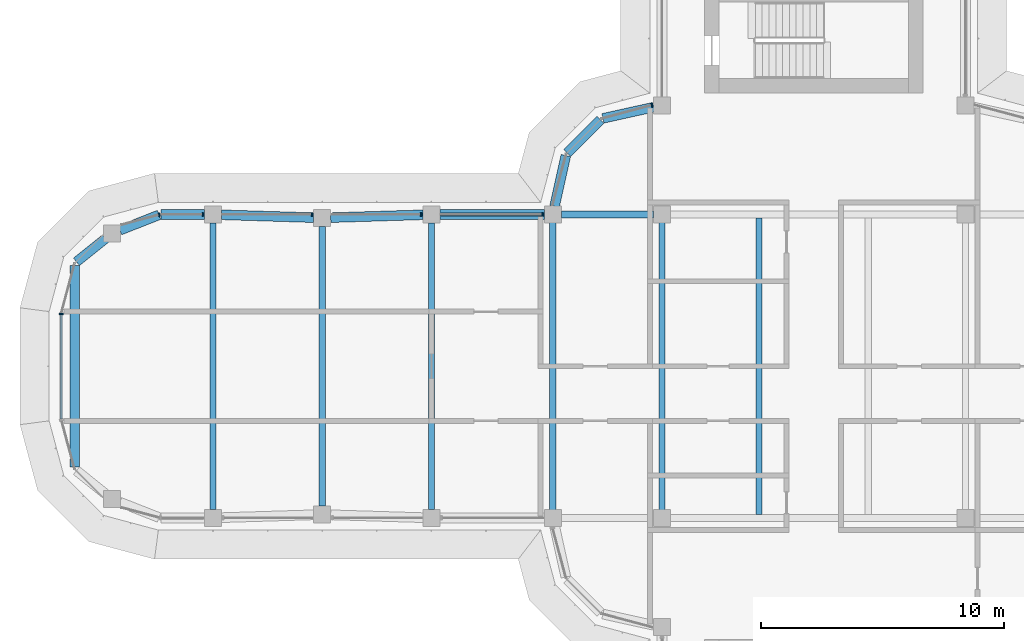
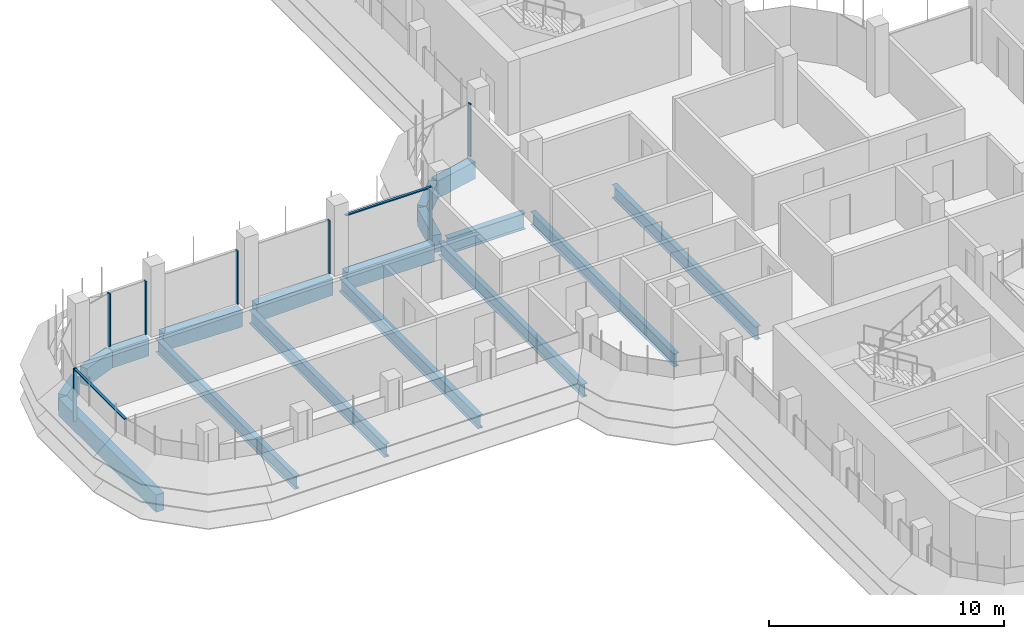
# One storey, part 6 of 19: 17 beams, 9 members, 4 elements without a shape of their own.
"""IFC4 building model written with IfcOpenShell, lengths in metres."""

from ifc_helpers import new_model, si_unit, direction, frame, origin, origin_2d, place, context, subcontext, project, spatial, polyline, rectangle, i_section, outline, extrude, source, transform, mapped, material, material_profile, profile_set, type_object, element, aggregate, save


model = new_model("IFC4")

# Units and contexts
model_context = context("Model", 3, precision=1e-05, world=origin(), true_north=direction((0.0, 1.0)))
body_context = subcontext(model_context, "Body", "Model", "MODEL_VIEW")
ifc_project = project(units=[si_unit("LENGTHUNIT", "METRE"), si_unit("AREAUNIT", "SQUARE_METRE"), si_unit("VOLUMEUNIT", "CUBIC_METRE"), si_unit("PLANEANGLEUNIT", "RADIAN"), si_unit("MASSUNIT", "GRAM", prefix="KILO")], contexts=[model_context])

# Site, building, storey
site_placement = place(None, origin())
site = spatial("IfcSite", under=ifc_project, at=site_placement, CompositionType="ELEMENT")
building_placement = place(site_placement, origin())
building = spatial("IfcBuilding", under=site, at=building_placement, Name="Zarbagh Exchange Tower", CompositionType="ELEMENT")
storey_placement = place(building_placement, frame((0.0, 0.0, 203.0)))
storey = spatial("IfcBuildingStorey", under=building, at=storey_placement, Name="L49", CompositionType="ELEMENT", Elevation=203.0)

# Beams
ifc_material_1 = material(Name="Steel ASTM A992 Gr 50", Category="steel")
ifc_material_profile_1 = material_profile(ifc_material_1, i_section(OverallWidth=0.25390625, OverallDepth=0.67822265625, WebThickness=0.01171875, FlangeThickness=0.016357421875, at=origin_2d()), Name="W27X84")
ifc_profile_set_1 = profile_set([ifc_material_profile_1], Name="Steel ASTM A992 Gr 50")
beam_type_1 = type_object("IfcBeamType", Name="Floor beam W27X84", PredefinedType="BEAM", material=ifc_profile_set_1)
for number, where, z_axis, x_axis, name in (
    (1, (-10.75, -6.10400390625, -0.489013671875), (0.0, 1.0, 0.0), (-1.0, 0.0, 0.0), "Steel floor beam"),
    (2, (-6.25, -6.10400390625, -0.489013671875), (0.0, 1.0, 0.0), (-1.0, 0.0, 0.0), "Steel floor beam"),
    (3, (-2.25, -6.10400390625, -0.489013671875), (0.0, 1.0, 0.0), (-1.0, 0.0, 0.0), "Steel floor beam"),
):
    element("IfcBeam", number, at=place(storey_placement, frame(where, z_axis=z_axis, x_axis=x_axis)), inside=storey, type_object=beam_type_1, Name=name, PredefinedType="BEAM", context=body_context, shape_type="SweptSolid", body=[
        extrude(i_section(OverallWidth=0.25390625, OverallDepth=0.67822265625, WebThickness=0.01171875, FlangeThickness=0.016357421875, at=origin_2d()), origin(), (0.0, 0.0, 1.0), 12.2080078125),
    ])
beam_1_placement = place(storey_placement, frame((-15.75, -5.89990234375, -0.489013671875), z_axis=(0.0, 1.0, 0.0), x_axis=(-1.0, 0.0, 0.0)))
element("IfcBeam", 4, at=beam_1_placement, inside=storey, type_object=beam_type_1, Name="Steel floor beam", PredefinedType="BEAM", context=body_context, shape_type="SweptSolid", body=[
    extrude(i_section(OverallWidth=0.25390625, OverallDepth=0.67822265625, WebThickness=0.01171875, FlangeThickness=0.016357421875, at=origin_2d()), origin(), (0.0, 0.0, 1.0), 11.7998046875),
])
beam_2_placement = place(storey_placement, frame((-20.25, -5.760009765625, -0.489013671875), z_axis=(0.0, 1.0, 0.0), x_axis=(-1.0, 0.0, 0.0)))
element("IfcBeam", 5, at=beam_2_placement, inside=storey, type_object=beam_type_1, Name="Steel floor beam", PredefinedType="BEAM", context=body_context, shape_type="SweptSolid", body=[
    extrude(i_section(OverallWidth=0.25390625, OverallDepth=0.67822265625, WebThickness=0.01171875, FlangeThickness=0.016357421875, at=origin_2d()), origin(), (0.0, 0.0, 1.0), 11.52001953125),
])
beam_3_placement = place(storey_placement, frame((-24.75, -5.89990234375, -0.489013671875), z_axis=(0.0, 1.0, 0.0), x_axis=(-1.0, 0.0, 0.0)))
element("IfcBeam", 6, at=beam_3_placement, inside=storey, type_object=beam_type_1, Name="Steel floor beam", PredefinedType="BEAM", context=body_context, shape_type="SweptSolid", body=[
    extrude(i_section(OverallWidth=0.25390625, OverallDepth=0.67822265625, WebThickness=0.01171875, FlangeThickness=0.016357421875, at=origin_2d()), origin(), (0.0, 0.0, 1.0), 11.7998046875),
])
ifc_material_profile_2 = material_profile(ifc_material_1, i_section(OverallWidth=0.2919921875, OverallDepth=0.835693359375, WebThickness=0.013916015625, FlangeThickness=0.018798828125, at=origin_2d()), Name="W33X118")
ifc_profile_set_2 = profile_set([ifc_material_profile_2], Name="Steel ASTM A992 Gr 50")
beam_type_2 = type_object("IfcBeamType", Name="Floor girder W33X118", PredefinedType="BEAM", material=ifc_profile_set_2)
beam_4_placement = place(storey_placement, frame((-10.39990234375, 6.25, -0.56787109375), z_axis=(1.0, 0.0, 0.0), x_axis=(0.0, 1.0, 0.0)))
element("IfcBeam", 7, at=beam_4_placement, inside=storey, type_object=beam_type_2, Name="Steel girder", PredefinedType="BEAM", context=body_context, shape_type="SweptSolid", body=[
    extrude(i_section(OverallWidth=0.2919921875, OverallDepth=0.835693359375, WebThickness=0.013916015625, FlangeThickness=0.018798828125, at=origin_2d()), origin(), (0.0, 0.0, 1.0), 3.7998046875),
])
ifc_material_2 = material(Name="Concrete C50/60", Category="concrete")
ifc_material_profile_3 = material_profile(ifc_material_2, rectangle(XDim=0.39990234375, YDim=0.89990234375, at=origin_2d()), Name="RC spandrel beam 400 x 900 C50/60")
ifc_profile_set_3 = profile_set([ifc_material_profile_3], Name="Concrete C50/60")
beam_type_3 = type_object("IfcBeamType", Name="RC spandrel beam 400 x 900 C50/60", PredefinedType="SPANDREL", material=ifc_profile_set_3)
beam_5_placement = place(storey_placement, frame((-30.44873046875, -4.14501953125, -0.60009765625), z_axis=(0.0, 1.0, 0.0), x_axis=(-1.0, 0.0, 0.0)))
element("IfcBeam", 8, at=beam_5_placement, inside=storey, type_object=beam_type_3, Name="RC spandrel beam", PredefinedType="SPANDREL", context=body_context, shape_type="SweptSolid", body=[
    extrude(rectangle(XDim=0.39990234375, YDim=0.89990234375, at=origin_2d()), origin(), (0.0, 0.0, 1.0), 8.2900390625),
])
beam_6_placement = place(storey_placement, frame((-30.373779296875, 4.30126953125, -0.60009765625), z_axis=(0.780634897504, 0.62498732531, 0.0), x_axis=(-0.62498732531, 0.780634897504, 0.0)))
element("IfcBeam", 9, at=beam_6_placement, inside=storey, type_object=beam_type_3, Name="RC spandrel beam", PredefinedType="SPANDREL", context=body_context, shape_type="SweptSolid", body=[
    extrude(rectangle(XDim=0.39990234375, YDim=0.89990234375, at=origin_2d()), origin(), (0.0, 0.0, 1.0), 1.52783203125),
])
beam_7_placement = place(storey_placement, frame((-28.582275390625, 5.602783203125, -0.60009765625), z_axis=(0.930809711446, 0.365504146457, 0.0), x_axis=(-0.365504146457, 0.930809711446, 0.0)))
element("IfcBeam", 10, at=beam_7_placement, inside=storey, type_object=beam_type_3, Name="RC spandrel beam", PredefinedType="SPANDREL", context=body_context, shape_type="SweptSolid", body=[
    extrude(rectangle(XDim=0.39990234375, YDim=0.89990234375, at=origin_2d()), origin(), (0.0, 0.0, 1.0), 1.732666015625),
])
beam_8_placement = place(storey_placement, frame((-26.896240234375, 6.25, -0.60009765625), z_axis=(1.0, 0.0, 0.0), x_axis=(0.0, 1.0, 0.0)))
element("IfcBeam", 11, at=beam_8_placement, inside=storey, type_object=beam_type_3, Name="RC spandrel beam", PredefinedType="SPANDREL", context=body_context, shape_type="SweptSolid", body=[
    extrude(rectangle(XDim=0.39990234375, YDim=0.89990234375, at=origin_2d()), origin(), (0.0, 0.0, 1.0), 1.796142578125),
])
for number, where, z_axis, x_axis, name in (
    (12, (-24.400146484375, 6.239013671875, -0.60009765625), (0.999516950199, -0.031078389046, 0.0), (0.031078389046, 0.999516950199, 0.0), "RC spandrel beam"),
    (13, (-19.900146484375, 6.120849609375, -0.60009765625), (0.999516950199, 0.031078389046, 0.0), (-0.031078389046, 0.999516950199, 0.0), "RC spandrel beam"),
):
    element("IfcBeam", number, at=place(storey_placement, frame(where, z_axis=z_axis, x_axis=x_axis)), inside=storey, type_object=beam_type_3, Name=name, PredefinedType="SPANDREL", context=body_context, shape_type="SweptSolid", body=[
        extrude(rectangle(XDim=0.39990234375, YDim=0.89990234375, at=origin_2d()), origin(), (0.0, 0.0, 1.0), 3.80224609375),
    ])
beam_9_placement = place(storey_placement, frame((-15.39990234375, 6.25, -0.60009765625), z_axis=(1.0, 0.0, 0.0), x_axis=(0.0, 1.0, 0.0)))
element("IfcBeam", 14, at=beam_9_placement, inside=storey, type_object=beam_type_3, Name="RC spandrel beam", PredefinedType="SPANDREL", context=body_context, shape_type="SweptSolid", body=[
    extrude(rectangle(XDim=0.39990234375, YDim=0.89990234375, at=origin_2d()), origin(), (0.0, 0.0, 1.0), 4.2998046875),
])
beam_10_placement = place(storey_placement, frame((-10.67431640625, 6.591796875, -0.60009765625), z_axis=(0.216013551096, 0.97639036545, 0.0), x_axis=(-0.97639036545, 0.216013551096, 0.0)))
element("IfcBeam", 15, at=beam_10_placement, inside=storey, type_object=beam_type_3, Name="RC spandrel beam", PredefinedType="SPANDREL", context=body_context, shape_type="SweptSolid", body=[
    extrude(rectangle(XDim=0.39990234375, YDim=0.89990234375, at=origin_2d()), origin(), (0.0, 0.0, 1.0), 2.142822265625),
])
beam_11_placement = place(storey_placement, frame((-10.15771484375, 8.782470703125, -0.60009765625), z_axis=(0.707106781187, 0.707106781187, 0.0), x_axis=(-0.707106781187, 0.707106781187, 0.0)))
element("IfcBeam", 16, at=beam_11_placement, inside=storey, type_object=beam_type_3, Name="RC spandrel beam", PredefinedType="SPANDREL", context=body_context, shape_type="SweptSolid", body=[
    extrude(rectangle(XDim=0.39990234375, YDim=0.89990234375, at=origin_2d()), origin(), (0.0, 0.0, 1.0), 1.94482421875),
])
beam_12_placement = place(storey_placement, frame((-8.68408203125, 10.21142578125, -0.60009765625), z_axis=(0.97639036545, 0.216013551096, 0.0), x_axis=(-0.216013551096, 0.97639036545, 0.0)))
element("IfcBeam", 17, at=beam_12_placement, inside=storey, type_object=beam_type_3, Name="RC spandrel beam", PredefinedType="SPANDREL", context=body_context, shape_type="SweptSolid", body=[
    extrude(rectangle(XDim=0.39990234375, YDim=0.89990234375, at=origin_2d()), origin(), (0.0, 0.0, 1.0), 2.142822265625),
])

# Curtain wall, member
ifc_material_3 = material(Name="Anodised aluminium frame and glazing", Category="aluminium")
curtain_wall_type = type_object("IfcCurtainWallType", Name="CWB Ribbon glazing, upper zones", PredefinedType="NOTDEFINED", material=ifc_material_3)
curtain_wall_1_placement = place(storey_placement, origin())
curtain_wall_1 = element("IfcCurtainWall", 18, at=curtain_wall_1_placement, inside=storey, type_object=curtain_wall_type, Name="CWB29 curtain wall", PredefinedType="NOTDEFINED")
ifc_material_4 = material(Name="Anodised aluminium frame", Category="aluminium")
member_type_1 = type_object("IfcMemberType", Name="MUB Mullion, anodised aluminium frame", PredefinedType="MULLION", material=ifc_material_4)
shared_shape_1 = source(origin(), body_context, "Body", "SweptSolid", [
    extrude(outline(polyline([(0.0, -0.080078125), (0.06005859375, -0.080078125), (0.06005859375, 0.080078125), (0.0, 0.080078125), (0.0, -0.080078125)])), origin(), (0.0, 0.0, 1.0), 2.75),
])
placement = place(storey_placement, origin())
member_1 = element("IfcMember", 19, at=placement, type_object=member_type_1, Name="CWB29 mullion 1.1", PredefinedType="MULLION", context=body_context, shape_type="MappedRepresentation", body=[
    mapped(shared_shape_1, transform((-6.64013671875, 10.76171875, 0.0), x_axis=(-0.965924289636, -0.258824779902, 0.0), y_axis=(0.258824779902, -0.965924289636, 0.0), z_axis=(0.0, 0.0, 1.0))),
])
aggregate(curtain_wall_1, [member_1])

# Curtain wall, members
curtain_wall_2_placement = place(storey_placement, origin())
curtain_wall_2 = element("IfcCurtainWall", 20, at=curtain_wall_2_placement, inside=storey, type_object=curtain_wall_type, Name="CWB58 curtain wall", PredefinedType="NOTDEFINED")
member_2 = element("IfcMember", 21, at=placement, type_object=member_type_1, Name="CWB58 mullion 1.1", PredefinedType="MULLION", context=body_context, shape_type="MappedRepresentation", body=[
    mapped(shared_shape_1, transform((-11.14013671875, 6.25, 0.0), x_axis=(-1.0, 0.0, 0.0), y_axis=(0.0, -1.0, 0.0), z_axis=(0.0, 0.0, 1.0))),
])
member_3 = element("IfcMember", 22, at=placement, type_object=member_type_1, Name="CWB58 mullion 2.1", PredefinedType="MULLION", context=body_context, shape_type="MappedRepresentation", body=[
    mapped(shared_shape_1, transform((-16.14013671875, 6.25, 0.0), x_axis=(-1.0, 0.0, 0.0), y_axis=(0.0, -1.0, 0.0), z_axis=(0.0, 0.0, 1.0))),
])
member_4 = element("IfcMember", 23, at=placement, type_object=member_type_1, Name="CWB58 mullion 3.1", PredefinedType="MULLION", context=body_context, shape_type="MappedRepresentation", body=[
    mapped(shared_shape_1, transform((-20.64013671875, 6.25, 0.0), x_axis=(-1.0, 0.0, 0.0), y_axis=(0.0, -1.0, 0.0), z_axis=(0.0, 0.0, 1.0))),
])
member_5 = element("IfcMember", 24, at=placement, type_object=member_type_1, Name="CWB58 mullion 4.1", PredefinedType="MULLION", context=body_context, shape_type="MappedRepresentation", body=[
    mapped(shared_shape_1, transform((-25.14013671875, 6.25, 0.0), x_axis=(-1.0, 0.0, 0.0), y_axis=(0.0, -1.0, 0.0), z_axis=(0.0, 0.0, 1.0))),
])

# Curtain wall, member
curtain_wall_3_placement = place(storey_placement, origin())
curtain_wall_3 = element("IfcCurtainWall", 25, at=curtain_wall_3_placement, inside=storey, type_object=curtain_wall_type, Name="CWB59 curtain wall", PredefinedType="NOTDEFINED")
member_6 = element("IfcMember", 26, at=placement, type_object=member_type_1, Name="CWB59 mullion 1.1", PredefinedType="MULLION", context=body_context, shape_type="MappedRepresentation", body=[
    mapped(shared_shape_1, transform((-26.93408203125, 6.25, 0.0), x_axis=(-0.965924289636, -0.258824779902, 0.0), y_axis=(0.258824779902, -0.965924289636, 0.0), z_axis=(0.0, 0.0, 1.0))),
])
aggregate(curtain_wall_3, [member_6])

# Curtain wall, members
curtain_wall_4_placement = place(storey_placement, origin())
curtain_wall_4 = element("IfcCurtainWall", 27, at=curtain_wall_4_placement, inside=storey, type_object=curtain_wall_type, Name="CWB66 curtain wall", PredefinedType="NOTDEFINED")
member_7 = element("IfcMember", 28, at=placement, type_object=member_type_1, Name="CWB66 mullion 1.1", PredefinedType="MULLION", context=body_context, shape_type="MappedRepresentation", body=[
    mapped(shared_shape_1, transform((-31.0, 2.18408203125, 0.0), x_axis=(0.0, -1.0, 0.0), y_axis=(1.0, 0.0, 0.0), z_axis=(0.0, 0.0, 1.0))),
])
member_type_2 = type_object("IfcMemberType", Name="TRB Transom, anodised aluminium frame", PredefinedType="USERDEFINED", material=ifc_material_4)
shared_shape_2 = source(origin(), body_context, "Body", "SweptSolid", [
    extrude(outline(polyline([(-0.06005859375, -0.06005859375), (0.0, -0.06005859375), (0.0, 0.06005859375), (-0.06005859375, 0.06005859375), (-0.06005859375, -0.06005859375)])), origin(), (0.0, 0.0, 1.0), 4.308349609375),
])
member_8 = element("IfcMember", 29, at=placement, type_object=member_type_2, Name="CWB66 transom 1.1", ObjectType="TRANSOM", PredefinedType="USERDEFINED", context=body_context, shape_type="MappedRepresentation", body=[
    mapped(shared_shape_2, transform((-31.0, 2.124267578125, 2.75), x_axis=(0.0, 0.0, 1.0), y_axis=(-1.0, 0.0, 0.0), z_axis=(0.0, -1.0, 0.0))),
])
aggregate(curtain_wall_4, [member_7, member_8])

# Member
shared_shape_3 = source(origin(), body_context, "Body", "SweptSolid", [
    extrude(outline(polyline([(-0.06005859375, -0.06005859375), (0.0, -0.06005859375), (0.0, 0.06005859375), (-0.06005859375, 0.06005859375), (-0.06005859375, -0.06005859375)])), origin(), (0.0, 0.0, 1.0), 4.159912109375),
])
member_9 = element("IfcMember", 30, at=placement, type_object=member_type_2, Name="CWB58 transom 1.1", ObjectType="TRANSOM", PredefinedType="USERDEFINED", context=body_context, shape_type="MappedRepresentation", body=[
    mapped(shared_shape_3, transform((-11.199951171875, 6.25, 2.75), x_axis=(0.0, 0.0, 1.0), y_axis=(0.0, 1.0, 0.0), z_axis=(-1.0, 0.0, 0.0))),
])

aggregate(curtain_wall_2, [member_2, member_9, member_3, member_4, member_5])

save(model, "model.ifc")
